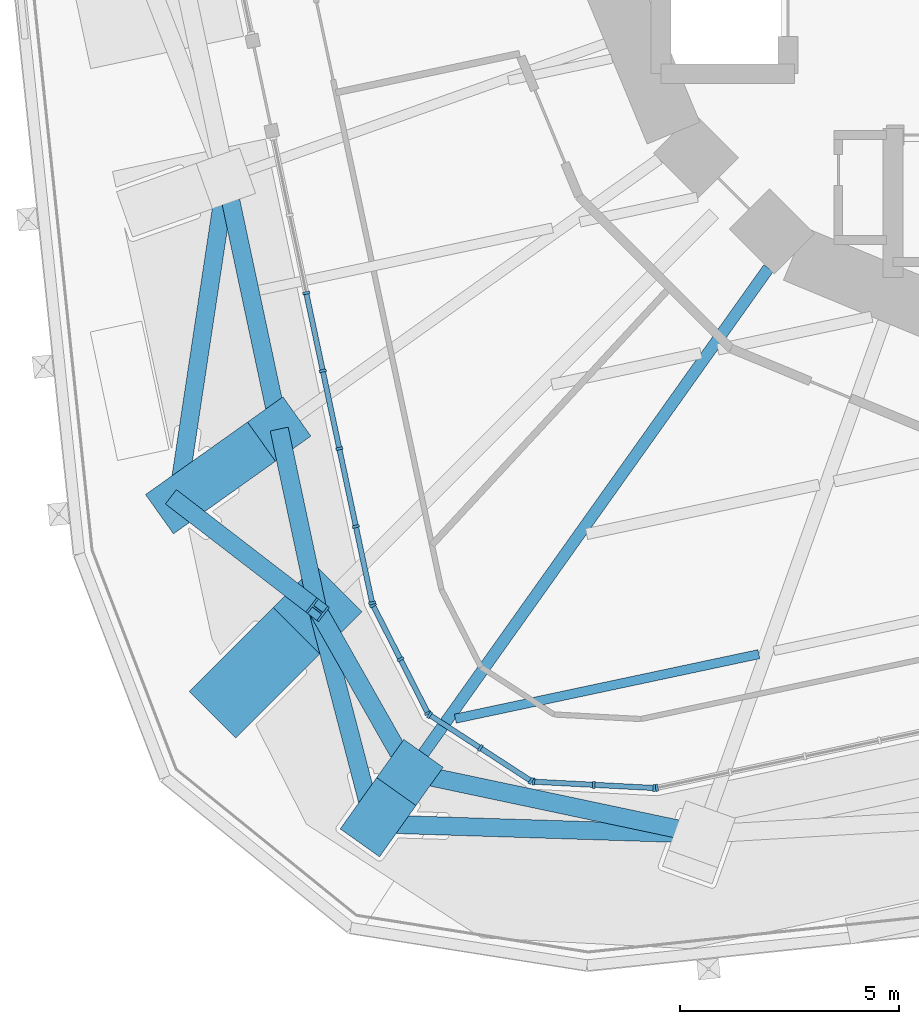
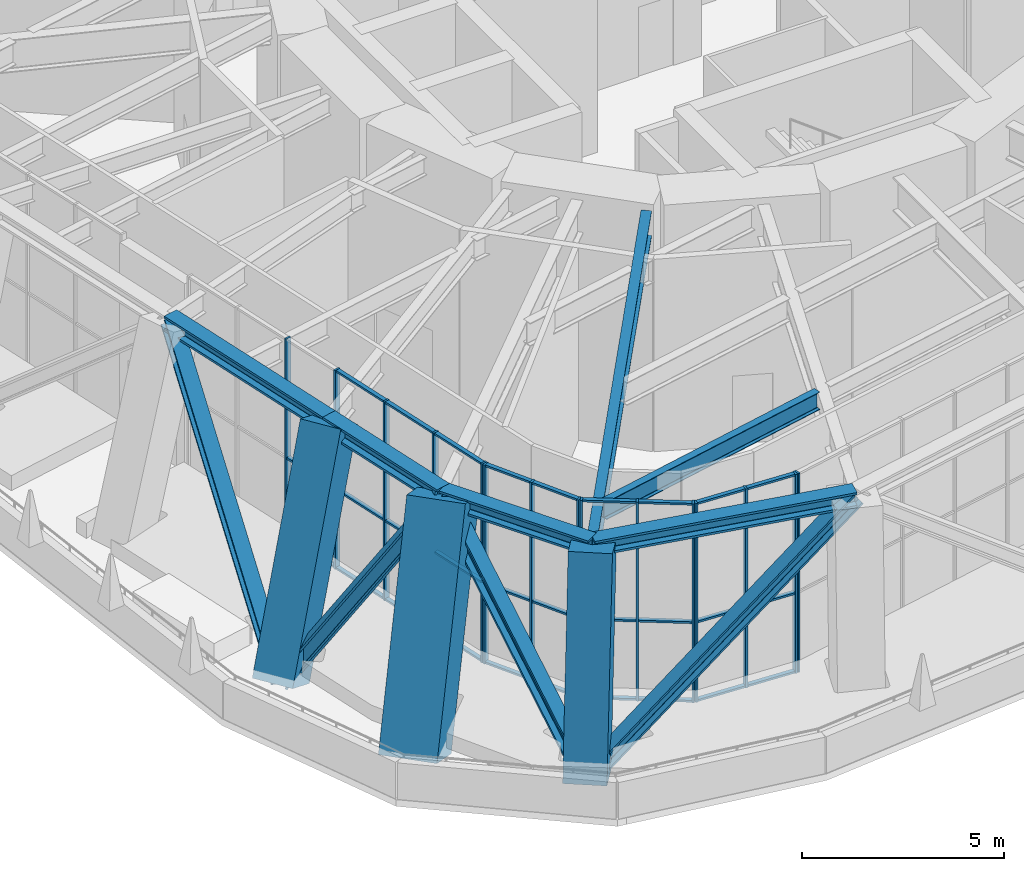
# One storey, part 1 of 23: 55 members, 2 beams, 5 elements without a shape of their own.
"""IFC4 building model written with IfcOpenShell, lengths in metres."""

from ifc_helpers import new_model, si_unit, direction, frame, origin, origin_2d, place, context, subcontext, project, spatial, rectangle, i_section, extrude, material, material_profile, profile_set, type_object, element, aggregate, save


model = new_model("IFC4")

# Units and contexts
model_context = context("Model", 3, precision=1e-05, world=origin(), true_north=direction((0.0, 1.0)))
body_context = subcontext(model_context, "Body", "Model", "MODEL_VIEW")
ifc_project = project(units=[si_unit("LENGTHUNIT", "METRE"), si_unit("AREAUNIT", "SQUARE_METRE"), si_unit("VOLUMEUNIT", "CUBIC_METRE"), si_unit("PLANEANGLEUNIT", "RADIAN"), si_unit("MASSUNIT", "GRAM", prefix="KILO")], contexts=[model_context])

# Site, building, storey
site_placement = place(None, origin())
site = spatial("IfcSite", under=ifc_project, at=site_placement, CompositionType="ELEMENT")
building_placement = place(site_placement, origin())
building = spatial("IfcBuilding", under=site, at=building_placement, Name="Nakasero Lantern House", CompositionType="ELEMENT")
storey_placement = place(building_placement, frame((0.0, 0.0, 95.14990234375)))
storey = spatial("IfcBuildingStorey", under=building, at=storey_placement, Name="L23", CompositionType="ELEMENT", Elevation=95.14990234375)

# Members
ifc_material_1 = material(Name="Steel S355", Category="steel")
ifc_material_profile_1 = material_profile(ifc_material_1, i_section(OverallWidth=0.41845703125, OverallDepth=0.45556640625, WebThickness=0.0419921875, FlangeThickness=0.0673828125, FilletRadius=0.01513671875, at=origin_2d()), Name="UC 356x406x551")
ifc_profile_set_1 = profile_set([ifc_material_profile_1], Name="Steel S355")
member_type_1 = type_object("IfcMemberType", Name="Belt truss chord UC 356x406x551", PredefinedType="CHORD", material=ifc_profile_set_1)
member_1_placement = place(storey_placement, frame((-18.534912109375, -6.590087890625, 5.572265625), z_axis=(0.207902159541, -0.978149626621, 0.0), x_axis=(0.978149626621, 0.207902159541, 0.0)))
element("IfcMember", 1, at=member_1_placement, inside=storey, type_object=member_type_1, Name="Belt truss top chord T2 B3-C16T", PredefinedType="CHORD", context=body_context, shape_type="SweptSolid", body=[
    extrude(i_section(OverallWidth=0.41845703125, OverallDepth=0.45556640625, WebThickness=0.0419921875, FlangeThickness=0.0673828125, FilletRadius=0.01513671875, at=origin_2d()), origin(), (0.0, 0.0, 1.0), 5.852783203125),
])
member_2_placement = place(storey_placement, frame((-17.318115234375, -12.31494140625, 5.572265625), z_axis=(0.207955665195, -0.978138252658, 0.0), x_axis=(0.978138252658, 0.207955665195, 0.0)))
element("IfcMember", 2, at=member_2_placement, inside=storey, type_object=member_type_1, Name="Belt truss top chord T2 B3-C17T", PredefinedType="CHORD", context=body_context, shape_type="SweptSolid", body=[
    extrude(i_section(OverallWidth=0.41845703125, OverallDepth=0.45556640625, WebThickness=0.0419921875, FlangeThickness=0.0673828125, FilletRadius=0.01513671875, at=origin_2d()), origin(), (0.0, 0.0, 1.0), 4.21826171875),
])
member_3_placement = place(storey_placement, frame((-16.44091796875, -16.44091796875, 5.572265625), z_axis=(0.493378832737, -0.869814536213, 0.0), x_axis=(0.869814536213, 0.493378832737, 0.0)))
element("IfcMember", 3, at=member_3_placement, inside=storey, type_object=member_type_1, Name="Belt truss top chord T2 B3-C18T", PredefinedType="CHORD", context=body_context, shape_type="SweptSolid", body=[
    extrude(i_section(OverallWidth=0.41845703125, OverallDepth=0.45556640625, WebThickness=0.0419921875, FlangeThickness=0.0673828125, FilletRadius=0.01513671875, at=origin_2d()), origin(), (0.0, 0.0, 1.0), 4.271484375),
])
member_4_placement = place(storey_placement, frame((-14.33349609375, -20.15625, 5.572265625), z_axis=(0.978376066473, -0.206833925052, 0.0), x_axis=(0.206833925052, 0.978376066473, 0.0)))
element("IfcMember", 4, at=member_4_placement, inside=storey, type_object=member_type_1, Name="Belt truss top chord T2 B3-C19T", PredefinedType="CHORD", context=body_context, shape_type="SweptSolid", body=[
    extrude(i_section(OverallWidth=0.41845703125, OverallDepth=0.45556640625, WebThickness=0.0419921875, FlangeThickness=0.0673828125, FilletRadius=0.01513671875, at=origin_2d()), origin(), (0.0, 0.0, 1.0), 6.81298828125),
])
ifc_material_2 = material(Name="Steel S355", Category="steel")
ifc_material_profile_2 = material_profile(ifc_material_2, i_section(OverallWidth=0.412109375, OverallDepth=0.4365234375, WebThickness=0.035888671875, FlangeThickness=0.05810546875, FilletRadius=0.01513671875, at=origin_2d()), Name="UC 356x406x467")
ifc_profile_set_2 = profile_set([ifc_material_profile_2], Name="Steel S355")
member_type_2 = type_object("IfcMemberType", Name="Belt truss diagonal UC 356x406x467", PredefinedType="BRACE", material=ifc_profile_set_2)
member_5_placement = place(storey_placement, frame((-18.534912109375, -6.590087890625, 5.572265625), z_axis=(-0.116141694432, -0.770726073188, -0.626492160305), x_axis=(0.988835849568, -0.149008934664, 0.0)))
element("IfcMember", 5, at=member_5_placement, inside=storey, type_object=member_type_2, Name="Belt truss diagonal T2-16", PredefinedType="BRACE", context=body_context, shape_type="SweptSolid", body=[
    extrude(i_section(OverallWidth=0.412109375, OverallDepth=0.4365234375, WebThickness=0.035888671875, FlangeThickness=0.05810546875, FilletRadius=0.01513671875, at=origin_2d()), origin(), (0.0, 0.0, 1.0), 9.5771484375),
])
member_6_placement = place(storey_placement, frame((-19.647216796875, -13.971435546875, -0.427734375), z_axis=(0.44302339087, -0.341215380998, 0.8290369949), x_axis=(0.610191682168, 0.792253817292, 0.0)))
element("IfcMember", 6, at=member_6_placement, inside=storey, type_object=member_type_2, Name="Belt truss diagonal T2-17", PredefinedType="BRACE", context=body_context, shape_type="SweptSolid", body=[
    extrude(i_section(OverallWidth=0.412109375, OverallDepth=0.4365234375, WebThickness=0.035888671875, FlangeThickness=0.05810546875, FilletRadius=0.01513671875, at=origin_2d()), origin(), (0.0, 0.0, 1.0), 7.2373046875),
])
member_7_placement = place(storey_placement, frame((-16.44091796875, -16.44091796875, 5.572265625), z_axis=(0.162498709171, -0.623129628635, -0.765051393982), x_axis=(0.967638829743, 0.252339246204, 0.0)))
element("IfcMember", 7, at=member_7_placement, inside=storey, type_object=member_type_2, Name="Belt truss diagonal T2-18", PredefinedType="BRACE", context=body_context, shape_type="SweptSolid", body=[
    extrude(i_section(OverallWidth=0.412109375, OverallDepth=0.4365234375, WebThickness=0.035888671875, FlangeThickness=0.05810546875, FilletRadius=0.01513671875, at=origin_2d()), origin(), (0.0, 0.0, 1.0), 7.842529296875),
])
member_8_placement = place(storey_placement, frame((-15.16650390625, -21.327880859375, -0.427734375), z_axis=(0.78058045227, -0.024727487549, 0.624566016441), x_axis=(0.031662450146, 0.999498618934, 0.0)))
element("IfcMember", 8, at=member_8_placement, inside=storey, type_object=member_type_2, Name="Belt truss diagonal T2-19", PredefinedType="BRACE", context=body_context, shape_type="SweptSolid", body=[
    extrude(i_section(OverallWidth=0.412109375, OverallDepth=0.4365234375, WebThickness=0.035888671875, FlangeThickness=0.05810546875, FilletRadius=0.01513671875, at=origin_2d()), origin(), (0.0, 0.0, 1.0), 9.606689453125),
])

# Beam
ifc_material_3 = material(Name="Steel S355", Category="steel")
ifc_material_profile_3 = material_profile(ifc_material_3, i_section(OverallWidth=0.2099609375, OverallDepth=0.53662109375, WebThickness=0.0107421875, FlangeThickness=0.017333984375, FilletRadius=0.0126953125, at=origin_2d()), Name="UB 533x210x101")
ifc_profile_set_3 = profile_set([ifc_material_profile_3], Name="Steel S355")
beam_type_1 = type_object("IfcBeamType", Name="Infill beam UB 533x210x101", PredefinedType="JOIST", material=ifc_profile_set_3)
beam_1_placement = place(storey_placement, frame((-13.29638671875, -18.927978515625, 5.53173828125), z_axis=(0.978149480204, 0.207902848411, 0.0), x_axis=(-0.207902848411, 0.978149480204, 0.0)))
element("IfcBeam", 9, at=beam_1_placement, inside=storey, type_object=beam_type_1, Name="Infill beam L24 03.1", PredefinedType="JOIST", context=body_context, shape_type="SweptSolid", body=[
    extrude(i_section(OverallWidth=0.2099609375, OverallDepth=0.53662109375, WebThickness=0.0107421875, FlangeThickness=0.017333984375, FilletRadius=0.0126953125, at=origin_2d()), origin(), (0.0, 0.0, 1.0), 7.085693359375),
])

# Curtain wall, members
ifc_material_4 = material(Name="Aluminium 6063-T6 and glass", Category="aluminium")
curtain_wall_type = type_object("IfcCurtainWallType", Name="Sky lounge glazing CW-3", PredefinedType="USERDEFINED", material=ifc_material_4)
curtain_wall_1_placement = place(storey_placement, origin())
curtain_wall_1 = element("IfcCurtainWall", 10, at=curtain_wall_1_placement, inside=storey, type_object=curtain_wall_type, Name="Curtain wall CW-3 L23", ObjectType="STICK CURTAIN WALL", PredefinedType="USERDEFINED")
ifc_material_5 = material(Name="Aluminium 6063-T6", Category="aluminium")
ifc_material_profile_4 = material_profile(ifc_material_5, rectangle(XDim=0.06005859375, YDim=0.159912109375, at=origin_2d()), Name="CW-3 mullion 60x160")
ifc_profile_set_4 = profile_set([ifc_material_profile_4], Name="Aluminium 6063-T6")
member_type_3 = type_object("IfcMemberType", Name="Mullion CW-3", PredefinedType="MULLION", material=ifc_profile_set_4)
member_9_placement = place(storey_placement, frame((-16.70068359375, -9.206787109375, 0.0), z_axis=(0.0, 0.0, 1.0), x_axis=(0.207911690818, -0.978147600734, 0.0)))
member_9 = element("IfcMember", 11, at=member_9_placement, type_object=member_type_3, Name="CW-3 mullion 3", PredefinedType="MULLION", context=body_context, shape_type="SweptSolid", body=[
    extrude(rectangle(XDim=0.06005859375, YDim=0.159912109375, at=origin_2d()), origin(), (0.0, 0.0, 1.0), 6.0),
])
member_10_placement = place(storey_placement, frame((-16.322998046875, -10.98388671875, 0.0), z_axis=(0.0, 0.0, 1.0), x_axis=(0.207911690818, -0.978147600734, 0.0)))
member_10 = element("IfcMember", 12, at=member_10_placement, type_object=member_type_3, Name="CW-3 mullion 4", PredefinedType="MULLION", context=body_context, shape_type="SweptSolid", body=[
    extrude(rectangle(XDim=0.06005859375, YDim=0.159912109375, at=origin_2d()), origin(), (0.0, 0.0, 1.0), 6.0),
])
member_11_placement = place(storey_placement, frame((-15.9453125, -12.7607421875, 0.0), z_axis=(0.0, 0.0, 1.0), x_axis=(0.207911690818, -0.978147600734, 0.0)))
member_11 = element("IfcMember", 13, at=member_11_placement, type_object=member_type_3, Name="CW-3 mullion 5", PredefinedType="MULLION", context=body_context, shape_type="SweptSolid", body=[
    extrude(rectangle(XDim=0.06005859375, YDim=0.159912109375, at=origin_2d()), origin(), (0.0, 0.0, 1.0), 6.0),
])
member_12_placement = place(storey_placement, frame((-15.567626953125, -14.53759765625, 0.0), z_axis=(0.0, 0.0, 1.0), x_axis=(0.207911690818, -0.978147600734, 0.0)))
member_12 = element("IfcMember", 14, at=member_12_placement, type_object=member_type_3, Name="CW-3 mullion 6", PredefinedType="MULLION", context=body_context, shape_type="SweptSolid", body=[
    extrude(rectangle(XDim=0.06005859375, YDim=0.159912109375, at=origin_2d()), origin(), (0.0, 0.0, 1.0), 6.0),
])
member_13_placement = place(storey_placement, frame((-15.196044921875, -16.285400390625, 0.0), z_axis=(0.0, 0.0, 1.0), x_axis=(0.207911690818, -0.978147600734, 0.0)))
member_13 = element("IfcMember", 15, at=member_13_placement, type_object=member_type_3, Name="CW-3 mullion 7", PredefinedType="MULLION", context=body_context, shape_type="SweptSolid", body=[
    extrude(rectangle(XDim=0.06005859375, YDim=0.159912109375, at=origin_2d()), origin(), (0.0, 0.0, 1.0), 6.0),
])

curtain_wall_2_placement = place(storey_placement, origin())
curtain_wall_2 = element("IfcCurtainWall", 16, at=curtain_wall_2_placement, inside=storey, type_object=curtain_wall_type, Name="Curtain wall CW-3 L23", ObjectType="STICK CURTAIN WALL", PredefinedType="USERDEFINED")
member_14_placement = place(storey_placement, frame((-15.17626953125, -16.34130859375, 0.0), z_axis=(0.0, 0.0, 1.0), x_axis=(0.45399049974, -0.891006524188, 0.0)))
member_14 = element("IfcMember", 17, at=member_14_placement, type_object=member_type_3, Name="CW-3 mullion 1", PredefinedType="MULLION", context=body_context, shape_type="SweptSolid", body=[
    extrude(rectangle(XDim=0.06005859375, YDim=0.159912109375, at=origin_2d()), origin(), (0.0, 0.0, 1.0), 6.0),
])
member_15_placement = place(storey_placement, frame((-14.549560546875, -17.571533203125, 0.0), z_axis=(0.0, 0.0, 1.0), x_axis=(0.45399049974, -0.891006524188, 0.0)))
member_15 = element("IfcMember", 18, at=member_15_placement, type_object=member_type_3, Name="CW-3 mullion 2", PredefinedType="MULLION", context=body_context, shape_type="SweptSolid", body=[
    extrude(rectangle(XDim=0.06005859375, YDim=0.159912109375, at=origin_2d()), origin(), (0.0, 0.0, 1.0), 6.0),
])
member_16_placement = place(storey_placement, frame((-13.9228515625, -18.801513671875, 0.0), z_axis=(0.0, 0.0, 1.0), x_axis=(0.45399049974, -0.891006524188, 0.0)))
member_16 = element("IfcMember", 19, at=member_16_placement, type_object=member_type_3, Name="CW-3 mullion 3", PredefinedType="MULLION", context=body_context, shape_type="SweptSolid", body=[
    extrude(rectangle(XDim=0.06005859375, YDim=0.159912109375, at=origin_2d()), origin(), (0.0, 0.0, 1.0), 6.0),
])

curtain_wall_3_placement = place(storey_placement, origin())
curtain_wall_3 = element("IfcCurtainWall", 20, at=curtain_wall_3_placement, inside=storey, type_object=curtain_wall_type, Name="Curtain wall CW-3 L23", ObjectType="STICK CURTAIN WALL", PredefinedType="USERDEFINED")
member_17_placement = place(storey_placement, frame((-13.884033203125, -18.8447265625, 0.0), z_axis=(0.0, 0.0, 1.0), x_axis=(0.838670567945, -0.544639035015, 0.0)))
member_17 = element("IfcMember", 21, at=member_17_placement, type_object=member_type_3, Name="CW-3 mullion 1", PredefinedType="MULLION", context=body_context, shape_type="SweptSolid", body=[
    extrude(rectangle(XDim=0.06005859375, YDim=0.159912109375, at=origin_2d()), origin(), (0.0, 0.0, 1.0), 6.0),
])
member_18_placement = place(storey_placement, frame((-12.72607421875, -19.5966796875, 0.0), z_axis=(0.0, 0.0, 1.0), x_axis=(0.838670567945, -0.544639035015, 0.0)))
member_18 = element("IfcMember", 22, at=member_18_placement, type_object=member_type_3, Name="CW-3 mullion 2", PredefinedType="MULLION", context=body_context, shape_type="SweptSolid", body=[
    extrude(rectangle(XDim=0.06005859375, YDim=0.159912109375, at=origin_2d()), origin(), (0.0, 0.0, 1.0), 6.0),
])
member_19_placement = place(storey_placement, frame((-11.568359375, -20.348388671875, 0.0), z_axis=(0.0, 0.0, 1.0), x_axis=(0.838670567945, -0.544639035015, 0.0)))
member_19 = element("IfcMember", 23, at=member_19_placement, type_object=member_type_3, Name="CW-3 mullion 3", PredefinedType="MULLION", context=body_context, shape_type="SweptSolid", body=[
    extrude(rectangle(XDim=0.06005859375, YDim=0.159912109375, at=origin_2d()), origin(), (0.0, 0.0, 1.0), 6.0),
])

curtain_wall_4_placement = place(storey_placement, origin())
curtain_wall_4 = element("IfcCurtainWall", 24, at=curtain_wall_4_placement, inside=storey, type_object=curtain_wall_type, Name="Curtain wall CW-3 L23", ObjectType="STICK CURTAIN WALL", PredefinedType="USERDEFINED")
member_20_placement = place(storey_placement, frame((-11.51318359375, -20.366455078125, 0.0), z_axis=(0.0, 0.0, 1.0), x_axis=(0.998629534755, -0.052335956243, 0.0)))
member_20 = element("IfcMember", 25, at=member_20_placement, type_object=member_type_3, Name="CW-3 mullion 1", PredefinedType="MULLION", context=body_context, shape_type="SweptSolid", body=[
    extrude(rectangle(XDim=0.06005859375, YDim=0.159912109375, at=origin_2d()), origin(), (0.0, 0.0, 1.0), 6.0),
])
member_21_placement = place(storey_placement, frame((-10.134521484375, -20.438720703125, 0.0), z_axis=(0.0, 0.0, 1.0), x_axis=(0.998629534755, -0.052335956243, 0.0)))
member_21 = element("IfcMember", 26, at=member_21_placement, type_object=member_type_3, Name="CW-3 mullion 2", PredefinedType="MULLION", context=body_context, shape_type="SweptSolid", body=[
    extrude(rectangle(XDim=0.06005859375, YDim=0.159912109375, at=origin_2d()), origin(), (0.0, 0.0, 1.0), 6.0),
])
member_22_placement = place(storey_placement, frame((-8.755859375, -20.510986328125, 0.0), z_axis=(0.0, 0.0, 1.0), x_axis=(0.998629534755, -0.052335956243, 0.0)))
member_22 = element("IfcMember", 27, at=member_22_placement, type_object=member_type_3, Name="CW-3 mullion 3", PredefinedType="MULLION", context=body_context, shape_type="SweptSolid", body=[
    extrude(rectangle(XDim=0.06005859375, YDim=0.159912109375, at=origin_2d()), origin(), (0.0, 0.0, 1.0), 6.0),
])

# Curtain wall, member
curtain_wall_5_placement = place(storey_placement, origin())
curtain_wall_5 = element("IfcCurtainWall", 28, at=curtain_wall_5_placement, inside=storey, type_object=curtain_wall_type, Name="Curtain wall CW-3 L23", ObjectType="STICK CURTAIN WALL", PredefinedType="USERDEFINED")
member_23_placement = place(storey_placement, frame((-8.696533203125, -20.50634765625, 0.0), z_axis=(0.0, 0.0, 1.0), x_axis=(0.978147600734, 0.207911690818, 0.0)))
member_23 = element("IfcMember", 29, at=member_23_placement, type_object=member_type_3, Name="CW-3 mullion 1", PredefinedType="MULLION", context=body_context, shape_type="SweptSolid", body=[
    extrude(rectangle(XDim=0.06005859375, YDim=0.159912109375, at=origin_2d()), origin(), (0.0, 0.0, 1.0), 6.0),
])
aggregate(curtain_wall_5, [member_23])

# Beam
ifc_material_6 = material(Name="Steel S355", Category="steel")
ifc_material_profile_5 = material_profile(ifc_material_6, i_section(OverallWidth=0.2666015625, OverallDepth=0.76220703125, WebThickness=0.014404296875, FlangeThickness=0.021484375, FilletRadius=0.0166015625, at=origin_2d()), Name="UB 762x267x173")
ifc_profile_set_5 = profile_set([ifc_material_profile_5], Name="Steel S355")
beam_type_2 = type_object("IfcBeamType", Name="Primary beam UB 762x267x173, span 12 to 15 m", PredefinedType="BEAM", material=ifc_profile_set_5)
beam_2_placement = place(storey_placement, frame((-14.33349609375, -20.15625, 5.4189453125), z_axis=(0.57953679421, 0.814946074386, 0.0), x_axis=(-0.814946074386, 0.57953679421, 0.0)))
element("IfcBeam", 30, at=beam_2_placement, inside=storey, type_object=beam_type_2, Name="Primary beam L24 B3-C19T", PredefinedType="BEAM", context=body_context, shape_type="SweptSolid", body=[
    extrude(i_section(OverallWidth=0.2666015625, OverallDepth=0.76220703125, WebThickness=0.014404296875, FlangeThickness=0.021484375, FilletRadius=0.0166015625, at=origin_2d()), origin(), (0.0, 0.0, 1.0), 14.127197265625),
])

# Members
ifc_material_7 = material(Name="Concrete C50/60", Category="concrete")
ifc_material_profile_6 = material_profile(ifc_material_7, rectangle(XDim=1.10009765625, YDim=1.10009765625, at=origin_2d()), Name="RC 1100x1100")
ifc_profile_set_6 = profile_set([ifc_material_profile_6], Name="Concrete C50/60")
member_type_4 = type_object("IfcMemberType", Name="Raking column RC 1100x1100 C50/60", PredefinedType="STRUT", material=ifc_profile_set_6)
member_24_placement = place(storey_placement, frame((-19.647216796875, -13.971435546875, -0.427734375), z_axis=(0.350454130091, 0.249248561076, 0.902805104939), x_axis=(-0.579580517405, 0.814914979519, 0.0)))
element("IfcMember", 31, at=member_24_placement, inside=storey, type_object=member_type_4, Name="Raking column B3-C17T L23", PredefinedType="STRUT", context=body_context, shape_type="SweptSolid", body=[
    extrude(rectangle(XDim=1.10009765625, YDim=1.10009765625, at=origin_2d()), origin(), (0.0, 0.0, 1.0), 6.64599609375),
])
member_25_placement = place(storey_placement, frame((-15.16650390625, -21.327880859375, -0.427734375), z_axis=(0.135013411496, 0.189897233812, 0.972476436376), x_axis=(-0.815005228405, 0.579453602692, 0.0)))
element("IfcMember", 32, at=member_25_placement, inside=storey, type_object=member_type_4, Name="Raking column B3-C19T L23", PredefinedType="STRUT", context=body_context, shape_type="SweptSolid", body=[
    extrude(rectangle(XDim=1.10009765625, YDim=1.10009765625, at=origin_2d()), origin(), (0.0, 0.0, 1.0), 6.169921875),
])
ifc_material_8 = material(Name="Concrete C50/60", Category="concrete")
ifc_material_profile_7 = material_profile(ifc_material_8, rectangle(XDim=1.5, YDim=1.5, at=origin_2d()), Name="RC 1500x1500")
ifc_profile_set_7 = profile_set([ifc_material_profile_7], Name="Concrete C50/60")
member_type_5 = type_object("IfcMemberType", Name="Raking column RC 1500x1500 C50/60", PredefinedType="STRUT", material=ifc_profile_set_7)
member_26_placement = place(storey_placement, frame((-18.359375, -18.359375, -0.427734375), z_axis=(0.291341705571, 0.291341705571, 0.911175077134), x_axis=(-0.707106781187, 0.707106781187, 0.0)))
element("IfcMember", 33, at=member_26_placement, inside=storey, type_object=member_type_5, Name="Raking column B3-C18T L23", PredefinedType="STRUT", context=body_context, shape_type="SweptSolid", body=[
    extrude(rectangle(XDim=1.5, YDim=1.5, at=origin_2d()), origin(), (0.0, 0.0, 1.0), 6.5849609375),
])

# Member
ifc_material_9 = material(Name="Aluminium 6063-T6", Category="aluminium")
ifc_material_profile_8 = material_profile(ifc_material_9, rectangle(XDim=0.06005859375, YDim=0.1201171875, at=origin_2d()), Name="CW-3 transom 60x120")
ifc_profile_set_8 = profile_set([ifc_material_profile_8], Name="Aluminium 6063-T6")
member_type_6 = type_object("IfcMemberType", Name="Transom CW-3", PredefinedType="USERDEFINED", material=ifc_profile_set_8)
member_27_placement = place(storey_placement, frame((-16.694580078125, -9.236083984375, 0.030029296875), z_axis=(0.207915270313, -0.978146839882, 0.0), x_axis=(0.0, 0.0, 1.0)))
member_27 = element("IfcMember", 34, at=member_27_placement, type_object=member_type_6, Name="CW-3 transom 3.1", ObjectType="TRANSOM", PredefinedType="USERDEFINED", context=body_context, shape_type="SweptSolid", body=[
    extrude(rectangle(XDim=0.06005859375, YDim=0.1201171875, at=origin_2d()), origin(), (0.0, 0.0, 1.0), 1.756591796875),
])

member_28_placement = place(storey_placement, frame((-16.694580078125, -9.236083984375, 2.400146484375), z_axis=(0.207915270313, -0.978146839882, 0.0), x_axis=(0.0, 0.0, 1.0)))
member_28 = element("IfcMember", 35, at=member_28_placement, type_object=member_type_6, Name="CW-3 transom 3.2", ObjectType="TRANSOM", PredefinedType="USERDEFINED", context=body_context, shape_type="SweptSolid", body=[
    extrude(rectangle(XDim=0.06005859375, YDim=0.1201171875, at=origin_2d()), origin(), (0.0, 0.0, 1.0), 1.756591796875),
])

member_29_placement = place(storey_placement, frame((-16.31689453125, -11.01318359375, 0.030029296875), z_axis=(0.207915270313, -0.978146839882, 0.0), x_axis=(0.0, 0.0, 1.0)))
member_29 = element("IfcMember", 36, at=member_29_placement, type_object=member_type_6, Name="CW-3 transom 4.1", ObjectType="TRANSOM", PredefinedType="USERDEFINED", context=body_context, shape_type="SweptSolid", body=[
    extrude(rectangle(XDim=0.06005859375, YDim=0.1201171875, at=origin_2d()), origin(), (0.0, 0.0, 1.0), 1.756591796875),
])

member_30_placement = place(storey_placement, frame((-16.31689453125, -11.01318359375, 2.400146484375), z_axis=(0.207915270313, -0.978146839882, 0.0), x_axis=(0.0, 0.0, 1.0)))
member_30 = element("IfcMember", 37, at=member_30_placement, type_object=member_type_6, Name="CW-3 transom 4.2", ObjectType="TRANSOM", PredefinedType="USERDEFINED", context=body_context, shape_type="SweptSolid", body=[
    extrude(rectangle(XDim=0.06005859375, YDim=0.1201171875, at=origin_2d()), origin(), (0.0, 0.0, 1.0), 1.756591796875),
])

member_31_placement = place(storey_placement, frame((-16.31689453125, -11.01318359375, 5.97021484375), z_axis=(0.207915270313, -0.978146839882, 0.0), x_axis=(0.0, 0.0, 1.0)))
member_31 = element("IfcMember", 38, at=member_31_placement, type_object=member_type_6, Name="CW-3 transom 4.3", ObjectType="TRANSOM", PredefinedType="USERDEFINED", context=body_context, shape_type="SweptSolid", body=[
    extrude(rectangle(XDim=0.06005859375, YDim=0.1201171875, at=origin_2d()), origin(), (0.0, 0.0, 1.0), 1.756591796875),
])

member_32_placement = place(storey_placement, frame((-15.939208984375, -12.7900390625, 0.030029296875), z_axis=(0.207915270313, -0.978146839882, 0.0), x_axis=(0.0, 0.0, 1.0)))
member_32 = element("IfcMember", 39, at=member_32_placement, type_object=member_type_6, Name="CW-3 transom 5.1", ObjectType="TRANSOM", PredefinedType="USERDEFINED", context=body_context, shape_type="SweptSolid", body=[
    extrude(rectangle(XDim=0.06005859375, YDim=0.1201171875, at=origin_2d()), origin(), (0.0, 0.0, 1.0), 1.756591796875),
])

member_33_placement = place(storey_placement, frame((-15.939208984375, -12.7900390625, 2.400146484375), z_axis=(0.207915270313, -0.978146839882, 0.0), x_axis=(0.0, 0.0, 1.0)))
member_33 = element("IfcMember", 40, at=member_33_placement, type_object=member_type_6, Name="CW-3 transom 5.2", ObjectType="TRANSOM", PredefinedType="USERDEFINED", context=body_context, shape_type="SweptSolid", body=[
    extrude(rectangle(XDim=0.06005859375, YDim=0.1201171875, at=origin_2d()), origin(), (0.0, 0.0, 1.0), 1.756591796875),
])

member_34_placement = place(storey_placement, frame((-15.939208984375, -12.7900390625, 5.97021484375), z_axis=(0.207915270313, -0.978146839882, 0.0), x_axis=(0.0, 0.0, 1.0)))
member_34 = element("IfcMember", 41, at=member_34_placement, type_object=member_type_6, Name="CW-3 transom 5.3", ObjectType="TRANSOM", PredefinedType="USERDEFINED", context=body_context, shape_type="SweptSolid", body=[
    extrude(rectangle(XDim=0.06005859375, YDim=0.1201171875, at=origin_2d()), origin(), (0.0, 0.0, 1.0), 1.756591796875),
])

member_35_placement = place(storey_placement, frame((-15.561279296875, -14.567138671875, 0.030029296875), z_axis=(0.207848609459, -0.978161006965, 0.0), x_axis=(0.0, 0.0, 1.0)))
member_35 = element("IfcMember", 42, at=member_35_placement, type_object=member_type_6, Name="CW-3 transom 6.1", ObjectType="TRANSOM", PredefinedType="USERDEFINED", context=body_context, shape_type="SweptSolid", body=[
    extrude(rectangle(XDim=0.06005859375, YDim=0.1201171875, at=origin_2d()), origin(), (0.0, 0.0, 1.0), 1.7265625),
])

member_36_placement = place(storey_placement, frame((-15.561279296875, -14.567138671875, 2.400146484375), z_axis=(0.207848609459, -0.978161006965, 0.0), x_axis=(0.0, 0.0, 1.0)))
member_36 = element("IfcMember", 43, at=member_36_placement, type_object=member_type_6, Name="CW-3 transom 6.2", ObjectType="TRANSOM", PredefinedType="USERDEFINED", context=body_context, shape_type="SweptSolid", body=[
    extrude(rectangle(XDim=0.06005859375, YDim=0.1201171875, at=origin_2d()), origin(), (0.0, 0.0, 1.0), 1.7265625),
])

member_37_placement = place(storey_placement, frame((-15.561279296875, -14.567138671875, 5.97021484375), z_axis=(0.207848609459, -0.978161006965, 0.0), x_axis=(0.0, 0.0, 1.0)))
member_37 = element("IfcMember", 44, at=member_37_placement, type_object=member_type_6, Name="CW-3 transom 6.3", ObjectType="TRANSOM", PredefinedType="USERDEFINED", context=body_context, shape_type="SweptSolid", body=[
    extrude(rectangle(XDim=0.06005859375, YDim=0.1201171875, at=origin_2d()), origin(), (0.0, 0.0, 1.0), 1.7265625),
])

aggregate(curtain_wall_1, [member_9, member_10, member_11, member_12, member_13, member_27, member_28, member_29, member_30, member_31, member_32, member_33, member_34, member_35, member_36, member_37])

member_38_placement = place(storey_placement, frame((-15.16259765625, -16.3681640625, 0.030029296875), z_axis=(0.453931321116, -0.891036674728, 0.0), x_axis=(0.0, 0.0, 1.0)))
member_38 = element("IfcMember", 45, at=member_38_placement, type_object=member_type_6, Name="CW-3 transom 1.1", ObjectType="TRANSOM", PredefinedType="USERDEFINED", context=body_context, shape_type="SweptSolid", body=[
    extrude(rectangle(XDim=0.06005859375, YDim=0.1201171875, at=origin_2d()), origin(), (0.0, 0.0, 1.0), 1.3203125),
])

member_39_placement = place(storey_placement, frame((-15.16259765625, -16.3681640625, 2.400146484375), z_axis=(0.453931321116, -0.891036674728, 0.0), x_axis=(0.0, 0.0, 1.0)))
member_39 = element("IfcMember", 46, at=member_39_placement, type_object=member_type_6, Name="CW-3 transom 1.2", ObjectType="TRANSOM", PredefinedType="USERDEFINED", context=body_context, shape_type="SweptSolid", body=[
    extrude(rectangle(XDim=0.06005859375, YDim=0.1201171875, at=origin_2d()), origin(), (0.0, 0.0, 1.0), 1.3203125),
])

member_40_placement = place(storey_placement, frame((-15.16259765625, -16.3681640625, 5.97021484375), z_axis=(0.453931321116, -0.891036674728, 0.0), x_axis=(0.0, 0.0, 1.0)))
member_40 = element("IfcMember", 47, at=member_40_placement, type_object=member_type_6, Name="CW-3 transom 1.3", ObjectType="TRANSOM", PredefinedType="USERDEFINED", context=body_context, shape_type="SweptSolid", body=[
    extrude(rectangle(XDim=0.06005859375, YDim=0.1201171875, at=origin_2d()), origin(), (0.0, 0.0, 1.0), 1.3203125),
])

member_41_placement = place(storey_placement, frame((-14.535888671875, -17.59814453125, 0.030029296875), z_axis=(0.454003316297, -0.89099999371, 0.0), x_axis=(0.0, 0.0, 1.0)))
member_41 = element("IfcMember", 48, at=member_41_placement, type_object=member_type_6, Name="CW-3 transom 2.1", ObjectType="TRANSOM", PredefinedType="USERDEFINED", context=body_context, shape_type="SweptSolid", body=[
    extrude(rectangle(XDim=0.06005859375, YDim=0.1201171875, at=origin_2d()), origin(), (0.0, 0.0, 1.0), 1.32080078125),
])

member_42_placement = place(storey_placement, frame((-14.535888671875, -17.59814453125, 2.400146484375), z_axis=(0.454003316297, -0.89099999371, 0.0), x_axis=(0.0, 0.0, 1.0)))
member_42 = element("IfcMember", 49, at=member_42_placement, type_object=member_type_6, Name="CW-3 transom 2.2", ObjectType="TRANSOM", PredefinedType="USERDEFINED", context=body_context, shape_type="SweptSolid", body=[
    extrude(rectangle(XDim=0.06005859375, YDim=0.1201171875, at=origin_2d()), origin(), (0.0, 0.0, 1.0), 1.32080078125),
])

member_43_placement = place(storey_placement, frame((-14.535888671875, -17.59814453125, 5.97021484375), z_axis=(0.454003316297, -0.89099999371, 0.0), x_axis=(0.0, 0.0, 1.0)))
member_43 = element("IfcMember", 50, at=member_43_placement, type_object=member_type_6, Name="CW-3 transom 2.3", ObjectType="TRANSOM", PredefinedType="USERDEFINED", context=body_context, shape_type="SweptSolid", body=[
    extrude(rectangle(XDim=0.06005859375, YDim=0.1201171875, at=origin_2d()), origin(), (0.0, 0.0, 1.0), 1.32080078125),
])

aggregate(curtain_wall_2, [member_14, member_15, member_16, member_38, member_39, member_40, member_41, member_42, member_43])

member_44_placement = place(storey_placement, frame((-13.85888671875, -18.861083984375, 0.030029296875), z_axis=(0.838701154365, -0.544591933163, 0.0), x_axis=(0.0, 0.0, 1.0)))
member_44 = element("IfcMember", 51, at=member_44_placement, type_object=member_type_6, Name="CW-3 transom 1.1", ObjectType="TRANSOM", PredefinedType="USERDEFINED", context=body_context, shape_type="SweptSolid", body=[
    extrude(rectangle(XDim=0.06005859375, YDim=0.1201171875, at=origin_2d()), origin(), (0.0, 0.0, 1.0), 1.32080078125),
])

member_45_placement = place(storey_placement, frame((-13.85888671875, -18.861083984375, 2.400146484375), z_axis=(0.838701154365, -0.544591933163, 0.0), x_axis=(0.0, 0.0, 1.0)))
member_45 = element("IfcMember", 52, at=member_45_placement, type_object=member_type_6, Name="CW-3 transom 1.2", ObjectType="TRANSOM", PredefinedType="USERDEFINED", context=body_context, shape_type="SweptSolid", body=[
    extrude(rectangle(XDim=0.06005859375, YDim=0.1201171875, at=origin_2d()), origin(), (0.0, 0.0, 1.0), 1.32080078125),
])

member_46_placement = place(storey_placement, frame((-13.85888671875, -18.861083984375, 5.97021484375), z_axis=(0.838701154365, -0.544591933163, 0.0), x_axis=(0.0, 0.0, 1.0)))
member_46 = element("IfcMember", 53, at=member_46_placement, type_object=member_type_6, Name="CW-3 transom 1.3", ObjectType="TRANSOM", PredefinedType="USERDEFINED", context=body_context, shape_type="SweptSolid", body=[
    extrude(rectangle(XDim=0.06005859375, YDim=0.1201171875, at=origin_2d()), origin(), (0.0, 0.0, 1.0), 1.32080078125),
])

member_47_placement = place(storey_placement, frame((-12.700927734375, -19.61279296875, 0.030029296875), z_axis=(0.838646316331, -0.544676377406, 0.0), x_axis=(0.0, 0.0, 1.0)))
member_47 = element("IfcMember", 54, at=member_47_placement, type_object=member_type_6, Name="CW-3 transom 2.1", ObjectType="TRANSOM", PredefinedType="USERDEFINED", context=body_context, shape_type="SweptSolid", body=[
    extrude(rectangle(XDim=0.06005859375, YDim=0.1201171875, at=origin_2d()), origin(), (0.0, 0.0, 1.0), 1.320556640625),
])

member_48_placement = place(storey_placement, frame((-12.700927734375, -19.61279296875, 2.400146484375), z_axis=(0.838646316331, -0.544676377406, 0.0), x_axis=(0.0, 0.0, 1.0)))
member_48 = element("IfcMember", 55, at=member_48_placement, type_object=member_type_6, Name="CW-3 transom 2.2", ObjectType="TRANSOM", PredefinedType="USERDEFINED", context=body_context, shape_type="SweptSolid", body=[
    extrude(rectangle(XDim=0.06005859375, YDim=0.1201171875, at=origin_2d()), origin(), (0.0, 0.0, 1.0), 1.320556640625),
])

member_49_placement = place(storey_placement, frame((-12.700927734375, -19.61279296875, 5.97021484375), z_axis=(0.838646316331, -0.544676377406, 0.0), x_axis=(0.0, 0.0, 1.0)))
member_49 = element("IfcMember", 56, at=member_49_placement, type_object=member_type_6, Name="CW-3 transom 2.3", ObjectType="TRANSOM", PredefinedType="USERDEFINED", context=body_context, shape_type="SweptSolid", body=[
    extrude(rectangle(XDim=0.06005859375, YDim=0.1201171875, at=origin_2d()), origin(), (0.0, 0.0, 1.0), 1.320556640625),
])

aggregate(curtain_wall_3, [member_17, member_18, member_19, member_44, member_45, member_46, member_47, member_48, member_49])

member_50_placement = place(storey_placement, frame((-11.483154296875, -20.367919921875, 0.030029296875), z_axis=(0.998630060553, -0.052325922447, 0.0), x_axis=(0.0, 0.0, 1.0)))
member_50 = element("IfcMember", 57, at=member_50_placement, type_object=member_type_6, Name="CW-3 transom 1.1", ObjectType="TRANSOM", PredefinedType="USERDEFINED", context=body_context, shape_type="SweptSolid", body=[
    extrude(rectangle(XDim=0.06005859375, YDim=0.1201171875, at=origin_2d()), origin(), (0.0, 0.0, 1.0), 1.3203125),
])

member_51_placement = place(storey_placement, frame((-11.483154296875, -20.367919921875, 2.400146484375), z_axis=(0.998630060553, -0.052325922447, 0.0), x_axis=(0.0, 0.0, 1.0)))
member_51 = element("IfcMember", 58, at=member_51_placement, type_object=member_type_6, Name="CW-3 transom 1.2", ObjectType="TRANSOM", PredefinedType="USERDEFINED", context=body_context, shape_type="SweptSolid", body=[
    extrude(rectangle(XDim=0.06005859375, YDim=0.1201171875, at=origin_2d()), origin(), (0.0, 0.0, 1.0), 1.3203125),
])

member_52_placement = place(storey_placement, frame((-11.483154296875, -20.367919921875, 5.97021484375), z_axis=(0.998630060553, -0.052325922447, 0.0), x_axis=(0.0, 0.0, 1.0)))
member_52 = element("IfcMember", 59, at=member_52_placement, type_object=member_type_6, Name="CW-3 transom 1.3", ObjectType="TRANSOM", PredefinedType="USERDEFINED", context=body_context, shape_type="SweptSolid", body=[
    extrude(rectangle(XDim=0.06005859375, YDim=0.1201171875, at=origin_2d()), origin(), (0.0, 0.0, 1.0), 1.3203125),
])

member_53_placement = place(storey_placement, frame((-10.1044921875, -20.440185546875, 0.030029296875), z_axis=(0.998630060553, -0.052325922447, 0.0), x_axis=(0.0, 0.0, 1.0)))
member_53 = element("IfcMember", 60, at=member_53_placement, type_object=member_type_6, Name="CW-3 transom 2.1", ObjectType="TRANSOM", PredefinedType="USERDEFINED", context=body_context, shape_type="SweptSolid", body=[
    extrude(rectangle(XDim=0.06005859375, YDim=0.1201171875, at=origin_2d()), origin(), (0.0, 0.0, 1.0), 1.3203125),
])

member_54_placement = place(storey_placement, frame((-10.1044921875, -20.440185546875, 2.400146484375), z_axis=(0.998630060553, -0.052325922447, 0.0), x_axis=(0.0, 0.0, 1.0)))
member_54 = element("IfcMember", 61, at=member_54_placement, type_object=member_type_6, Name="CW-3 transom 2.2", ObjectType="TRANSOM", PredefinedType="USERDEFINED", context=body_context, shape_type="SweptSolid", body=[
    extrude(rectangle(XDim=0.06005859375, YDim=0.1201171875, at=origin_2d()), origin(), (0.0, 0.0, 1.0), 1.3203125),
])

member_55_placement = place(storey_placement, frame((-10.1044921875, -20.440185546875, 5.97021484375), z_axis=(0.998630060553, -0.052325922447, 0.0), x_axis=(0.0, 0.0, 1.0)))
member_55 = element("IfcMember", 62, at=member_55_placement, type_object=member_type_6, Name="CW-3 transom 2.3", ObjectType="TRANSOM", PredefinedType="USERDEFINED", context=body_context, shape_type="SweptSolid", body=[
    extrude(rectangle(XDim=0.06005859375, YDim=0.1201171875, at=origin_2d()), origin(), (0.0, 0.0, 1.0), 1.3203125),
])

aggregate(curtain_wall_4, [member_20, member_21, member_22, member_50, member_51, member_52, member_53, member_54, member_55])

save(model, "model.ifc")
